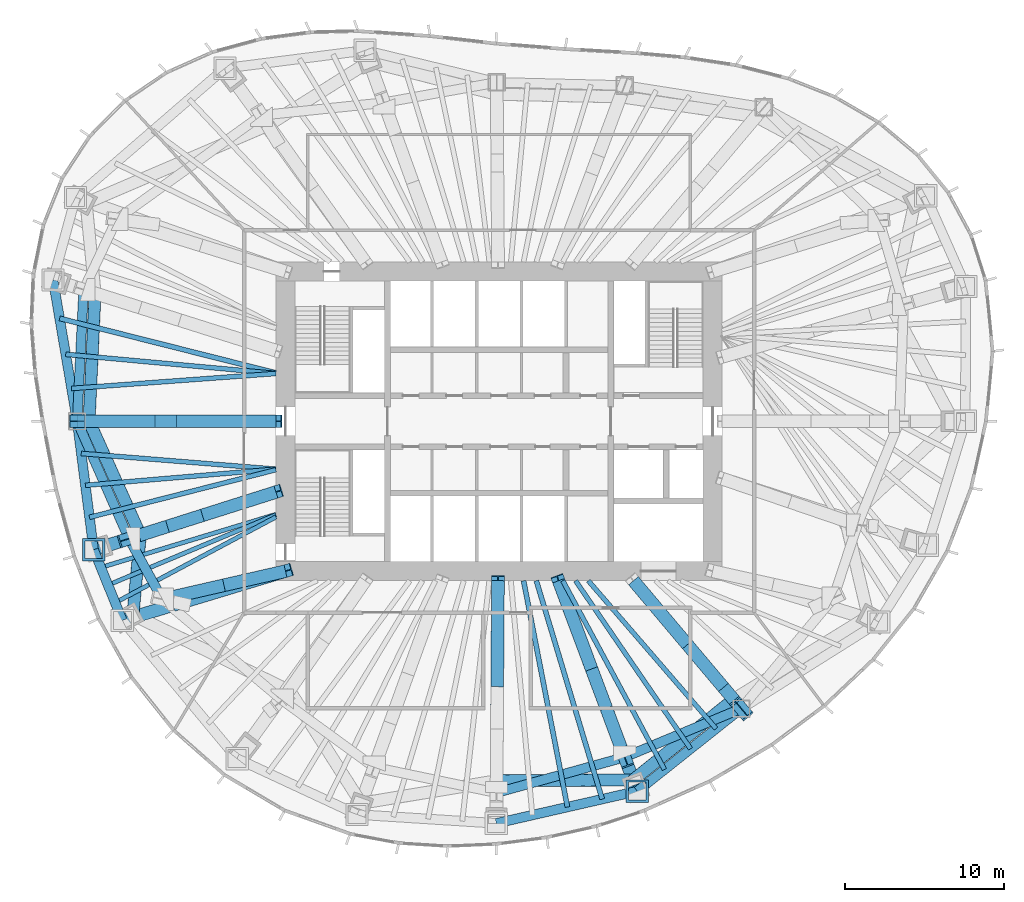
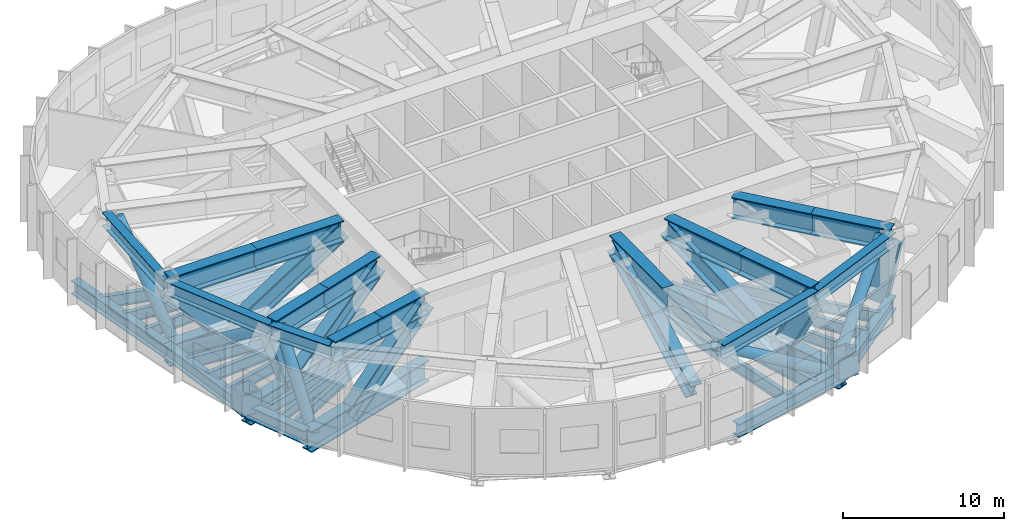
# One storey, part 2 of 12: 36 members, 19 beams.
"""IFC4 building model written with IfcOpenShell, lengths in metres."""

from ifc_helpers import new_model, si_unit, direction, frame, origin, origin_2d, place, context, subcontext, project, spatial, hollow_rectangle, hollow_circle, i_section, extrude, material, material_profile, profile_set, type_object, element, save


model = new_model("IFC4")

# Units and contexts
model_context = context("Model", 3, precision=1e-05, world=origin(), true_north=direction((0.0, 1.0)))
body_context = subcontext(model_context, "Body", "Model", "MODEL_VIEW")
ifc_project = project(units=[si_unit("LENGTHUNIT", "METRE"), si_unit("AREAUNIT", "SQUARE_METRE"), si_unit("VOLUMEUNIT", "CUBIC_METRE"), si_unit("PLANEANGLEUNIT", "RADIAN"), si_unit("MASSUNIT", "GRAM", prefix="KILO")], contexts=[model_context])

# Site, building, storey
site_placement = place(None, origin())
site = spatial("IfcSite", under=ifc_project, at=site_placement, CompositionType="ELEMENT")
building_placement = place(site_placement, origin())
building = spatial("IfcBuilding", under=site, at=building_placement, Name="Ghaith Harvest Tower", CompositionType="ELEMENT")
storey_placement = place(building_placement, frame((0.0, 0.0, 189.800048828125)))
storey = spatial("IfcBuildingStorey", under=building, at=storey_placement, Name="L41", CompositionType="ELEMENT", Elevation=189.800048828125)

# Members
ifc_material_1 = material(Name="Steel S460", Category="steel")
ifc_material_profile_1 = material_profile(ifc_material_1, i_section(OverallWidth=0.60009765625, OverallDepth=1.0, WebThickness=0.02490234375, FlangeThickness=0.050048828125, at=origin_2d()), Name="PG1000X600X25X50")
ifc_profile_set_1 = profile_set([ifc_material_profile_1], Name="Steel S460")
member_type_1 = type_object("IfcMemberType", Name="BCPG1000-600-25-50 PG1000X600X25X50", PredefinedType="CHORD", material=ifc_profile_set_1)
member_1_placement = place(storey_placement, frame((-26.06689453125, 8.260986328125, 4.030029296875), z_axis=(-0.049353148492, -0.998781390863, 0.0), x_axis=(0.998781390863, -0.049353148492, 0.0)))
element("IfcMember", 1, at=member_1_placement, inside=storey, type_object=member_type_1, Name="Belt truss BT10 top chord", PredefinedType="CHORD", context=body_context, shape_type="SweptSolid", body=[
    extrude(i_section(OverallWidth=0.60009765625, OverallDepth=1.0, WebThickness=0.02490234375, FlangeThickness=0.050048828125, at=origin_2d()), origin(), (0.0, 0.0, 1.0), 8.27099609375),
])
member_2_placement = place(storey_placement, frame((-26.47509765625, 0.0, 4.030029296875), z_axis=(0.404042817399, -0.914740073304, 0.0), x_axis=(0.914740073304, 0.404042817399, 0.0)))
element("IfcMember", 2, at=member_2_placement, inside=storey, type_object=member_type_1, Name="Belt truss BT11 top chord", PredefinedType="CHORD", context=body_context, shape_type="SweptSolid", body=[
    extrude(i_section(OverallWidth=0.60009765625, OverallDepth=1.0, WebThickness=0.02490234375, FlangeThickness=0.050048828125, at=origin_2d()), origin(), (0.0, 0.0, 1.0), 8.046142578125),
])
member_3_placement = place(storey_placement, frame((-23.22412109375, -7.360107421875, 4.030029296875), z_axis=(0.482955575345, -0.875644855089, 0.0), x_axis=(0.875644855089, 0.482955575345, 0.0)))
element("IfcMember", 3, at=member_3_placement, inside=storey, type_object=member_type_1, Name="Belt truss BT12 top chord", PredefinedType="CHORD", context=body_context, shape_type="SweptSolid", body=[
    extrude(i_section(OverallWidth=0.60009765625, OverallDepth=1.0, WebThickness=0.02490234375, FlangeThickness=0.050048828125, at=origin_2d()), origin(), (0.0, 0.0, 1.0), 4.346435546875),
])
member_4_placement = place(storey_placement, frame((-0.158935546875, -23.304931640625, 4.030029296875), z_axis=(0.963504070594, 0.267693679323, 0.0), x_axis=(-0.267693679323, 0.963504070594, 0.0)))
element("IfcMember", 4, at=member_4_placement, inside=storey, type_object=member_type_1, Name="Belt truss BT16 top chord", PredefinedType="CHORD", context=body_context, shape_type="SweptSolid", body=[
    extrude(i_section(OverallWidth=0.60009765625, OverallDepth=1.0, WebThickness=0.02490234375, FlangeThickness=0.050048828125, at=origin_2d()), origin(), (0.0, 0.0, 1.0), 8.34130859375),
])
member_5_placement = place(storey_placement, frame((7.8779296875, -21.072021484375, 4.030029296875), z_axis=(0.923119729219, 0.384512633766, 0.0), x_axis=(-0.384512633766, 0.923119729219, 0.0)))
element("IfcMember", 5, at=member_5_placement, inside=storey, type_object=member_type_1, Name="Belt truss BT17 top chord", PredefinedType="CHORD", context=body_context, shape_type="SweptSolid", body=[
    extrude(i_section(OverallWidth=0.60009765625, OverallDepth=1.0, WebThickness=0.02490234375, FlangeThickness=0.050048828125, at=origin_2d()), origin(), (0.0, 0.0, 1.0), 7.9296875),
])
ifc_material_2 = material(Name="Steel ASTM A992 Grade 50", Category="steel")
ifc_material_profile_2 = material_profile(ifc_material_2, hollow_circle(Radius=0.381103515625, WallThickness=0.01904296875, at=origin_2d()), Name="HSS762X19.1")
ifc_profile_set_2 = profile_set([ifc_material_profile_2], Name="Steel ASTM A992 Grade 50")
member_type_2 = type_object("IfcMemberType", Name="BD762 HSS762X19.1", PredefinedType="BRACE", material=ifc_profile_set_2)
member_6_placement = place(storey_placement, frame((-25.35205078125, 8.034423828125, 4.030029296875), z_axis=(-0.039103933086, -0.842193281369, -0.537755854672), x_axis=(0.998923817734, -0.046381099198, 0.0)))
element("IfcMember", 6, at=member_6_placement, inside=storey, type_object=member_type_2, Name="Belt truss BT10 diagonal", PredefinedType="BRACE", context=body_context, shape_type="SweptSolid", body=[
    extrude(hollow_circle(Radius=0.381103515625, WallThickness=0.01904296875, at=origin_2d()), origin(), (0.0, 0.0, 1.0), 9.539794921875),
])
member_7_placement = place(storey_placement, frame((-25.72509765625, 0.0, -1.10009765625), z_axis=(0.343722880296, -0.76238481109, 0.548291876084), x_axis=(0.911630542756, 0.411010648906, 0.0)))
element("IfcMember", 7, at=member_7_placement, inside=storey, type_object=member_type_2, Name="Belt truss BT11 diagonal", PredefinedType="BRACE", context=body_context, shape_type="SweptSolid", body=[
    extrude(hollow_circle(Radius=0.381103515625, WallThickness=0.01904296875, at=origin_2d()), origin(), (0.0, 0.0, 1.0), 9.3564453125),
])
member_8_placement = place(storey_placement, frame((-22.509033203125, -7.13330078125, 4.030029296875), z_axis=(-0.06442389311, -0.697177974069, -0.713997503125), x_axis=(0.995757653688, -0.092014646232, 0.0)))
element("IfcMember", 8, at=member_8_placement, inside=storey, type_object=member_type_2, Name="Belt truss BT12 diagonal", PredefinedType="BRACE", context=body_context, shape_type="SweptSolid", body=[
    extrude(hollow_circle(Radius=0.381103515625, WallThickness=0.01904296875, at=origin_2d()), origin(), (0.0, 0.0, 1.0), 7.18505859375),
])
member_9_placement = place(storey_placement, frame((-0.15380859375, -22.554931640625, 4.030029296875), z_axis=(0.857876919703, 0.005452970188, -0.513826289477), x_axis=(-0.006356226525, 0.999979798988, 0.0)))
element("IfcMember", 9, at=member_9_placement, inside=storey, type_object=member_type_2, Name="Belt truss BT16 diagonal", PredefinedType="BRACE", context=body_context, shape_type="SweptSolid", body=[
    extrude(hollow_circle(Radius=0.381103515625, WallThickness=0.01904296875, at=origin_2d()), origin(), (0.0, 0.0, 1.0), 9.984130859375),
])
member_10_placement = place(storey_placement, frame((8.411376953125, -22.50048828125, -1.10009765625), z_axis=(0.658736352818, 0.527846373348, 0.53613862351), x_axis=(-0.625314114143, 0.780373153468, 0.0)))
element("IfcMember", 10, at=member_10_placement, inside=storey, type_object=member_type_2, Name="Belt truss BT17 diagonal", PredefinedType="BRACE", context=body_context, shape_type="SweptSolid", body=[
    extrude(hollow_circle(Radius=0.381103515625, WallThickness=0.01904296875, at=origin_2d()), origin(), (0.0, 0.0, 1.0), 9.568603515625),
])

# Beams
ifc_material_3 = material(Name="Steel S460", Category="steel")
ifc_material_profile_3 = material_profile(ifc_material_3, i_section(OverallWidth=0.60009765625, OverallDepth=1.0, WebThickness=0.02490234375, FlangeThickness=0.050048828125, at=origin_2d()), Name="PG1000X600X25X50")
ifc_profile_set_3 = profile_set([ifc_material_profile_3], Name="Steel S460")
beam_type_1 = type_object("IfcBeamType", Name="EPG1000 PG1000X600X25X50", PredefinedType="SPANDREL", material=ifc_profile_set_3)
beam_1_placement = place(storey_placement, frame((-27.98291015625, 8.867919921875, -0.800048828125), z_axis=(0.167624246844, -0.985850958244, 0.0), x_axis=(0.985850958244, 0.167624246844, 0.0)))
element("IfcBeam", 11, at=beam_1_placement, inside=storey, type_object=beam_type_1, Name="Edge beam E10 L41", PredefinedType="SPANDREL", context=body_context, shape_type="SweptSolid", body=[
    extrude(i_section(OverallWidth=0.60009765625, OverallDepth=1.0, WebThickness=0.02490234375, FlangeThickness=0.050048828125, at=origin_2d()), origin(), (0.0, 0.0, 1.0), 8.9951171875),
])
beam_2_placement = place(storey_placement, frame((-26.47509765625, 0.0, -0.800048828125), z_axis=(0.127841715048, -0.991794583517, 0.0), x_axis=(0.991794583517, 0.127841715048, 0.0)))
element("IfcBeam", 12, at=beam_2_placement, inside=storey, type_object=beam_type_1, Name="Edge beam E11 L41", PredefinedType="SPANDREL", context=body_context, shape_type="SweptSolid", body=[
    extrude(i_section(OverallWidth=0.60009765625, OverallDepth=1.0, WebThickness=0.02490234375, FlangeThickness=0.050048828125, at=origin_2d()), origin(), (0.0, 0.0, 1.0), 8.127685546875),
])
beam_3_placement = place(storey_placement, frame((-25.43603515625, -8.06103515625, -0.800048828125), z_axis=(0.376479712052, -0.9264248628, 0.0), x_axis=(0.9264248628, 0.376479712052, 0.0)))
element("IfcBeam", 13, at=beam_3_placement, inside=storey, type_object=beam_type_1, Name="Edge beam E12 L41", PredefinedType="SPANDREL", context=body_context, shape_type="SweptSolid", body=[
    extrude(i_section(OverallWidth=0.60009765625, OverallDepth=1.0, WebThickness=0.02490234375, FlangeThickness=0.050048828125, at=origin_2d()), origin(), (0.0, 0.0, 1.0), 4.783935546875),
])
beam_4_placement = place(storey_placement, frame((-0.173095703125, -25.22412109375, -0.800048828125), z_axis=(0.974881709383, 0.22272326486, 0.0), x_axis=(-0.22272326486, 0.974881709383, 0.0)))
element("IfcBeam", 14, at=beam_4_placement, inside=storey, type_object=beam_type_1, Name="Edge beam E16 L41", PredefinedType="SPANDREL", context=body_context, shape_type="SweptSolid", body=[
    extrude(i_section(OverallWidth=0.60009765625, OverallDepth=1.0, WebThickness=0.02490234375, FlangeThickness=0.050048828125, at=origin_2d()), origin(), (0.0, 0.0, 1.0), 9.0751953125),
])
beam_5_placement = place(storey_placement, frame((8.674072265625, -23.202880859375, -0.800048828125), z_axis=(0.783159540917, 0.621820821033, 0.0), x_axis=(-0.621820821033, 0.783159540917, 0.0)))
element("IfcBeam", 15, at=beam_5_placement, inside=storey, type_object=beam_type_1, Name="Edge beam E17 L41", PredefinedType="SPANDREL", context=body_context, shape_type="SweptSolid", body=[
    extrude(i_section(OverallWidth=0.60009765625, OverallDepth=1.0, WebThickness=0.02490234375, FlangeThickness=0.050048828125, at=origin_2d()), origin(), (0.0, 0.0, 1.0), 8.330322265625),
])
ifc_material_4 = material(Name="Steel ASTM A992 Grade 50", Category="steel")
ifc_material_profile_4 = material_profile(ifc_material_4, i_section(OverallWidth=0.26806640625, OverallDepth=0.77001953125, WebThickness=0.015625, FlangeThickness=0.025390625, at=origin_2d()), Name="W760X196")
ifc_profile_set_4 = profile_set([ifc_material_profile_4], Name="Steel ASTM A992 Grade 50")
beam_type_2 = type_object("IfcBeamType", Name="J760-196 W760X196", PredefinedType="JOIST", material=ifc_profile_set_4)
beam_6_placement = place(storey_placement, frame((-14.0, -5.8369140625, -0.68505859375), z_axis=(-0.95693260078, -0.290310174751, 0.0), x_axis=(0.290310174751, -0.95693260078, 0.0)))
element("IfcBeam", 16, at=beam_6_placement, inside=storey, type_object=beam_type_2, Name="Joist J12.1 L41", PredefinedType="JOIST", context=body_context, shape_type="SweptSolid", body=[
    extrude(i_section(OverallWidth=0.26806640625, OverallDepth=0.77001953125, WebThickness=0.015625, FlangeThickness=0.025390625, at=origin_2d()), origin(), (0.0, 0.0, 1.0), 11.47998046875),
])
beam_7_placement = place(storey_placement, frame((-14.0, -5.862548828125, -0.68505859375), z_axis=(-0.922385564947, -0.386270461693, 0.0), x_axis=(0.386270461693, -0.922385564947, 0.0)))
element("IfcBeam", 17, at=beam_7_placement, inside=storey, type_object=beam_type_2, Name="Joist J12.2 L41", PredefinedType="JOIST", context=body_context, shape_type="SweptSolid", body=[
    extrude(i_section(OverallWidth=0.26806640625, OverallDepth=0.77001953125, WebThickness=0.015625, FlangeThickness=0.025390625, at=origin_2d()), origin(), (0.0, 0.0, 1.0), 11.4228515625),
])
beam_8_placement = place(storey_placement, frame((-14.0, -6.0, -0.68505859375), z_axis=(-0.882301506662, -0.470684662318, 0.0), x_axis=(0.470684662318, -0.882301506662, 0.0)))
element("IfcBeam", 18, at=beam_8_placement, inside=storey, type_object=beam_type_2, Name="Joist J12.3 L41", PredefinedType="JOIST", context=body_context, shape_type="SweptSolid", body=[
    extrude(i_section(OverallWidth=0.26806640625, OverallDepth=0.77001953125, WebThickness=0.015625, FlangeThickness=0.025390625, at=origin_2d()), origin(), (0.0, 0.0, 1.0), 11.4326171875),
])
ifc_material_5 = material(Name="Steel ASTM A992 Grade 50", Category="steel")
ifc_material_profile_5 = material_profile(ifc_material_5, i_section(OverallWidth=0.2939453125, OverallDepth=0.85107421875, WebThickness=0.01611328125, FlangeThickness=0.02685546875, at=origin_2d()), Name="W840X226")
ifc_profile_set_5 = profile_set([ifc_material_profile_5], Name="Steel ASTM A992 Grade 50")
beam_type_3 = type_object("IfcBeamType", Name="J840-226 W840X226", PredefinedType="JOIST", material=ifc_profile_set_5)
beam_9_placement = place(storey_placement, frame((-14.0, 3.0, -0.7255859375), z_axis=(-0.995849123151, 0.091019360137, 0.0), x_axis=(-0.091019360137, -0.995849123151, 0.0)))
element("IfcBeam", 19, at=beam_9_placement, inside=storey, type_object=beam_type_3, Name="Joist J10.2 L41", PredefinedType="JOIST", context=body_context, shape_type="SweptSolid", body=[
    extrude(i_section(OverallWidth=0.2939453125, OverallDepth=0.85107421875, WebThickness=0.01611328125, FlangeThickness=0.02685546875, at=origin_2d()), origin(), (0.0, 0.0, 1.0), 13.2451171875),
])
beam_10_placement = place(storey_placement, frame((-14.0, 3.0, -0.7255859375), z_axis=(-0.997337799795, -0.072919908802, 0.0), x_axis=(0.072919908802, -0.997337799795, 0.0)))
element("IfcBeam", 20, at=beam_10_placement, inside=storey, type_object=beam_type_3, Name="Joist J10.3 L41", PredefinedType="JOIST", context=body_context, shape_type="SweptSolid", body=[
    extrude(i_section(OverallWidth=0.2939453125, OverallDepth=0.85107421875, WebThickness=0.01611328125, FlangeThickness=0.02685546875, at=origin_2d()), origin(), (0.0, 0.0, 1.0), 12.85986328125),
])
beam_11_placement = place(storey_placement, frame((-14.0, -3.0, -0.7255859375), z_axis=(-0.996767018052, 0.080346199185, 0.0), x_axis=(-0.080346199185, -0.996767018052, 0.0)))
element("IfcBeam", 21, at=beam_11_placement, inside=storey, type_object=beam_type_3, Name="Joist J11.1 L41", PredefinedType="JOIST", context=body_context, shape_type="SweptSolid", body=[
    extrude(i_section(OverallWidth=0.2939453125, OverallDepth=0.85107421875, WebThickness=0.01611328125, FlangeThickness=0.02685546875, at=origin_2d()), origin(), (0.0, 0.0, 1.0), 12.254638671875),
])
beam_12_placement = place(storey_placement, frame((-14.0, -3.0, -0.7255859375), z_axis=(-0.996417474722, -0.0845707755, 0.0), x_axis=(0.0845707755, -0.996417474722, 0.0)))
element("IfcBeam", 22, at=beam_12_placement, inside=storey, type_object=beam_type_3, Name="Joist J11.2 L41", PredefinedType="JOIST", context=body_context, shape_type="SweptSolid", body=[
    extrude(i_section(OverallWidth=0.2939453125, OverallDepth=0.85107421875, WebThickness=0.01611328125, FlangeThickness=0.02685546875, at=origin_2d()), origin(), (0.0, 0.0, 1.0), 12.00048828125),
])
beam_13_placement = place(storey_placement, frame((-14.0, -3.036865234375, -0.7255859375), z_axis=(-0.96895348483, -0.247243087337, 0.0), x_axis=(0.247243087337, -0.96895348483, 0.0)))
element("IfcBeam", 23, at=beam_13_placement, inside=storey, type_object=beam_type_3, Name="Joist J11.3 L41", PredefinedType="JOIST", context=body_context, shape_type="SweptSolid", body=[
    extrude(i_section(OverallWidth=0.2939453125, OverallDepth=0.85107421875, WebThickness=0.01611328125, FlangeThickness=0.02685546875, at=origin_2d()), origin(), (0.0, 0.0, 1.0), 12.073486328125),
])
beam_14_placement = place(storey_placement, frame((4.0, -10.0, -0.7255859375), z_axis=(0.473990552547, -0.880529929131, 0.0), x_axis=(0.880529929131, 0.473990552547, 0.0)))
element("IfcBeam", 24, at=beam_14_placement, inside=storey, type_object=beam_type_3, Name="Joist J17.1 L41", PredefinedType="JOIST", context=body_context, shape_type="SweptSolid", body=[
    extrude(i_section(OverallWidth=0.2939453125, OverallDepth=0.85107421875, WebThickness=0.01611328125, FlangeThickness=0.02685546875, at=origin_2d()), origin(), (0.0, 0.0, 1.0), 13.457275390625),
])
beam_15_placement = place(storey_placement, frame((4.800048828125, -10.0, -0.7255859375), z_axis=(0.564640089487, -0.825337245824, 0.0), x_axis=(0.825337245824, 0.564640089487, 0.0)))
element("IfcBeam", 25, at=beam_15_placement, inside=storey, type_object=beam_type_3, Name="Joist J17.2 L41", PredefinedType="JOIST", context=body_context, shape_type="SweptSolid", body=[
    extrude(i_section(OverallWidth=0.2939453125, OverallDepth=0.85107421875, WebThickness=0.01611328125, FlangeThickness=0.02685546875, at=origin_2d()), origin(), (0.0, 0.0, 1.0), 12.78125),
])
beam_16_placement = place(storey_placement, frame((5.60009765625, -10.0, -0.7255859375), z_axis=(0.653656155878, -0.756791668746, 0.0), x_axis=(0.756791668746, 0.653656155878, 0.0)))
element("IfcBeam", 26, at=beam_16_placement, inside=storey, type_object=beam_type_3, Name="Joist J17.3 L41", PredefinedType="JOIST", context=body_context, shape_type="SweptSolid", body=[
    extrude(i_section(OverallWidth=0.2939453125, OverallDepth=0.85107421875, WebThickness=0.01611328125, FlangeThickness=0.02685546875, at=origin_2d()), origin(), (0.0, 0.0, 1.0), 12.261962890625),
])
ifc_material_6 = material(Name="Steel ASTM A992 Grade 50", Category="steel")
ifc_material_profile_6 = material_profile(ifc_material_6, i_section(OverallWidth=0.31005859375, OverallDepth=0.927001953125, WebThickness=0.019287109375, FlangeThickness=0.031982421875, at=origin_2d()), Name="W920X289")
ifc_profile_set_6 = profile_set([ifc_material_profile_6], Name="Steel ASTM A992 Grade 50")
beam_type_4 = type_object("IfcBeamType", Name="J920-289 W920X289", PredefinedType="JOIST", material=ifc_profile_set_6)
beam_17_placement = place(storey_placement, frame((-14.0, 3.036865234375, -0.763427734375), z_axis=(-0.969617049409, 0.244627834671, 0.0), x_axis=(-0.244627834671, -0.969617049409, 0.0)))
element("IfcBeam", 27, at=beam_17_placement, inside=storey, type_object=beam_type_4, Name="Joist J10.1 L41", PredefinedType="JOIST", context=body_context, shape_type="SweptSolid", body=[
    extrude(i_section(OverallWidth=0.31005859375, OverallDepth=0.927001953125, WebThickness=0.019287109375, FlangeThickness=0.031982421875, at=origin_2d()), origin(), (0.0, 0.0, 1.0), 13.9990234375),
])
beam_18_placement = place(storey_placement, frame((1.538330078125, -10.0, -0.763427734375), z_axis=(0.190235964894, -0.981738395735, 0.0), x_axis=(0.981738395735, 0.190235964894, 0.0)))
element("IfcBeam", 28, at=beam_18_placement, inside=storey, type_object=beam_type_4, Name="Joist J16.2 L41", PredefinedType="JOIST", context=body_context, shape_type="SweptSolid", body=[
    extrude(i_section(OverallWidth=0.31005859375, OverallDepth=0.927001953125, WebThickness=0.019287109375, FlangeThickness=0.031982421875, at=origin_2d()), origin(), (0.0, 0.0, 1.0), 14.468505859375),
])
beam_19_placement = place(storey_placement, frame((2.33837890625, -10.0, -0.763427734375), z_axis=(0.288890171312, -0.957362245401, 0.0), x_axis=(0.957362245401, 0.288890171312, 0.0)))
element("IfcBeam", 29, at=beam_19_placement, inside=storey, type_object=beam_type_4, Name="Joist J16.3 L41", PredefinedType="JOIST", context=body_context, shape_type="SweptSolid", body=[
    extrude(i_section(OverallWidth=0.31005859375, OverallDepth=0.927001953125, WebThickness=0.019287109375, FlangeThickness=0.031982421875, at=origin_2d()), origin(), (0.0, 0.0, 1.0), 14.31591796875),
])

# Members
ifc_material_7 = material(Name="Steel S690QL", Category="steel")
ifc_material_profile_7 = material_profile(ifc_material_7, hollow_rectangle(XDim=1.39990234375, YDim=1.39990234375, WallThickness=0.139892578125, at=origin_2d()), Name="BOX1400X1400X140")
ifc_profile_set_7 = profile_set([ifc_material_profile_7], Name="Steel S690QL")
member_type_3 = type_object("IfcMemberType", Name="KN2 BOX1400X1400X140", PredefinedType="USERDEFINED", material=ifc_profile_set_7)
for number, where, z_axis, x_axis, name in (
    (30, (-25.43603515625, -8.06103515625, -0.775146484375), (0.0, 0.0, 1.0), (1.0, 0.0, 0.0), "Raked column kink node C12 base L41"),
    (31, (8.674072265625, -23.202880859375, -0.775146484375), (0.0, 0.0, 1.0), (1.0, 0.0, 0.0), "Raked column kink node C17 base L41"),
):
    element("IfcMember", number, at=place(storey_placement, frame(where, z_axis=z_axis, x_axis=x_axis)), inside=storey, type_object=member_type_3, Name=name, ObjectType="KINK NODE", PredefinedType="USERDEFINED", context=body_context, shape_type="SweptSolid", body=[
        extrude(hollow_rectangle(XDim=1.39990234375, YDim=1.39990234375, WallThickness=0.139892578125, at=origin_2d()), origin(), (0.0, 0.0, 1.0), 1.550048828125),
    ])
ifc_material_8 = material(Name="Steel S460", Category="steel")
ifc_material_profile_8 = material_profile(ifc_material_8, i_section(OverallWidth=0.800048828125, OverallDepth=1.60009765625, WebThickness=0.0400390625, FlangeThickness=0.080078125, at=origin_2d()), Name="PG1600X800X40X80")
ifc_profile_set_8 = profile_set([ifc_material_profile_8], Name="Steel S460")
member_type_4 = type_object("IfcMemberType", Name="OC1600 PG1600X800X40X80", PredefinedType="CHORD", material=ifc_profile_set_8)
member_11_placement = place(storey_placement, frame((-14.0, 0.0, -1.10009765625), z_axis=(-1.0, 0.0, 0.0), x_axis=(0.0, -1.0, 0.0)))
element("IfcMember", 32, at=member_11_placement, inside=storey, type_object=member_type_4, Name="Outrigger truss OT11 bottom chord", PredefinedType="CHORD", context=body_context, shape_type="SweptSolid", body=[
    extrude(i_section(OverallWidth=0.800048828125, OverallDepth=1.60009765625, WebThickness=0.0400390625, FlangeThickness=0.080078125, at=origin_2d()), origin(), (0.0, 0.0, 1.0), 12.47509765625),
])
for number, where, z_axis, x_axis, name in (
    (33, (-14.0, 0.0, 4.030029296875), (-1.0, 0.0, 0.0), (0.0, -1.0, 0.0), "Outrigger truss OT11 top chord 1"),
    (34, (-20.237548828125, 0.0, 4.030029296875), (-1.0, 0.0, 0.0), (0.0, -1.0, 0.0), "Outrigger truss OT11 top chord 2"),
):
    element("IfcMember", number, at=place(storey_placement, frame(where, z_axis=z_axis, x_axis=x_axis)), inside=storey, type_object=member_type_4, Name=name, PredefinedType="CHORD", context=body_context, shape_type="SweptSolid", body=[
        extrude(i_section(OverallWidth=0.800048828125, OverallDepth=1.60009765625, WebThickness=0.0400390625, FlangeThickness=0.080078125, at=origin_2d()), origin(), (0.0, 0.0, 1.0), 6.237548828125),
    ])
member_12_placement = place(storey_placement, frame((-14.0, -4.43701171875, -1.10009765625), z_axis=(-0.953279533519, -0.302089607522, 0.0), x_axis=(0.302089607522, -0.953279533519, 0.0)))
element("IfcMember", 35, at=member_12_placement, inside=storey, type_object=member_type_4, Name="Outrigger truss OT12 bottom chord", PredefinedType="CHORD", context=body_context, shape_type="SweptSolid", body=[
    extrude(i_section(OverallWidth=0.800048828125, OverallDepth=1.60009765625, WebThickness=0.0400390625, FlangeThickness=0.080078125, at=origin_2d()), origin(), (0.0, 0.0, 1.0), 11.99658203125),
])
for number, where, z_axis, x_axis, name in (
    (36, (-14.0, -4.43701171875, 4.030029296875), (-0.953286293894, -0.30206827353, 0.0), (0.30206827353, -0.953286293894, 0.0), "Outrigger truss OT12 top chord 1"),
    (37, (-18.612060546875, -5.8984375, 4.030029296875), (-0.953271761967, -0.30211413048, 0.0), (0.30211413048, -0.953271761967, 0.0), "Outrigger truss OT12 top chord 2"),
):
    element("IfcMember", number, at=place(storey_placement, frame(where, z_axis=z_axis, x_axis=x_axis)), inside=storey, type_object=member_type_4, Name=name, PredefinedType="CHORD", context=body_context, shape_type="SweptSolid", body=[
        extrude(i_section(OverallWidth=0.800048828125, OverallDepth=1.60009765625, WebThickness=0.0400390625, FlangeThickness=0.080078125, at=origin_2d()), origin(), (0.0, 0.0, 1.0), 4.838134765625),
    ])
member_13_placement = place(storey_placement, frame((-13.39990234375, -9.39990234375, -1.10009765625), z_axis=(-0.957245546312, -0.289276622051, 0.0), x_axis=(0.289276622051, -0.957245546312, 0.0)))
element("IfcMember", 38, at=member_13_placement, inside=storey, type_object=member_type_4, Name="Outrigger truss OT13 bottom chord", PredefinedType="CHORD", context=body_context, shape_type="SweptSolid", body=[
    extrude(i_section(OverallWidth=0.800048828125, OverallDepth=1.60009765625, WebThickness=0.0400390625, FlangeThickness=0.080078125, at=origin_2d()), origin(), (0.0, 0.0, 1.0), 10.692138671875),
])
for number, where, z_axis, x_axis, name in (
    (39, (-13.39990234375, -9.39990234375, 4.030029296875), (-0.974848180196, -0.222869974576, 0.0), (0.222869974576, -0.974848180196, 0.0), "Outrigger truss OT13 top chord 1"),
    (40, (-17.262451171875, -10.282958984375, 4.030029296875), (-0.974848180196, -0.222869974576, 0.0), (0.222869974576, -0.974848180196, 0.0), "Outrigger truss OT13 top chord 2"),
):
    element("IfcMember", number, at=place(storey_placement, frame(where, z_axis=z_axis, x_axis=x_axis)), inside=storey, type_object=member_type_4, Name=name, PredefinedType="CHORD", context=body_context, shape_type="SweptSolid", body=[
        extrude(i_section(OverallWidth=0.800048828125, OverallDepth=1.60009765625, WebThickness=0.0400390625, FlangeThickness=0.080078125, at=origin_2d()), origin(), (0.0, 0.0, 1.0), 3.962158203125),
    ])
member_14_placement = place(storey_placement, frame((-0.068359375, -10.0, 4.030029296875), z_axis=(-0.00682577955, -0.999976704095, 0.0), x_axis=(0.999976704095, -0.00682577955, 0.0)))
element("IfcMember", 41, at=member_14_placement, inside=storey, type_object=member_type_4, Name="Outrigger truss OT16 top chord 1", PredefinedType="CHORD", context=body_context, shape_type="SweptSolid", body=[
    extrude(i_section(OverallWidth=0.800048828125, OverallDepth=1.60009765625, WebThickness=0.0400390625, FlangeThickness=0.080078125, at=origin_2d()), origin(), (0.0, 0.0, 1.0), 6.65283203125),
])
member_15_placement = place(storey_placement, frame((3.73828125, -10.0, -1.10009765625), z_axis=(0.350172283717, -0.936685310932, 0.0), x_axis=(0.936685310932, 0.350172283717, 0.0)))
element("IfcMember", 42, at=member_15_placement, inside=storey, type_object=member_type_4, Name="Outrigger truss OT17 bottom chord", PredefinedType="CHORD", context=body_context, shape_type="SweptSolid", body=[
    extrude(i_section(OverallWidth=0.800048828125, OverallDepth=1.60009765625, WebThickness=0.0400390625, FlangeThickness=0.080078125, at=origin_2d()), origin(), (0.0, 0.0, 1.0), 14.09521484375),
])
member_16_placement = place(storey_placement, frame((3.73828125, -10.0, 4.030029296875), z_axis=(0.350213357326, -0.936669954867, 0.0), x_axis=(0.936669954867, 0.350213357326, 0.0)))
element("IfcMember", 43, at=member_16_placement, inside=storey, type_object=member_type_4, Name="Outrigger truss OT17 top chord 1", PredefinedType="CHORD", context=body_context, shape_type="SweptSolid", body=[
    extrude(i_section(OverallWidth=0.800048828125, OverallDepth=1.60009765625, WebThickness=0.0400390625, FlangeThickness=0.080078125, at=origin_2d()), origin(), (0.0, 0.0, 1.0), 5.91015625),
])
member_17_placement = place(storey_placement, frame((5.80810546875, -15.535888671875, 4.030029296875), z_axis=(0.350199807211, -0.936675021034, 0.0), x_axis=(0.936675021034, 0.350199807211, 0.0)))
element("IfcMember", 44, at=member_17_placement, inside=storey, type_object=member_type_4, Name="Outrigger truss OT17 top chord 2", PredefinedType="CHORD", context=body_context, shape_type="SweptSolid", body=[
    extrude(i_section(OverallWidth=0.800048828125, OverallDepth=1.60009765625, WebThickness=0.0400390625, FlangeThickness=0.080078125, at=origin_2d()), origin(), (0.0, 0.0, 1.0), 5.910400390625),
])
for number, where, z_axis, x_axis, name in (
    (45, (8.4326171875, -10.0, 4.030029296875), (0.644662835997, -0.764467022104, 0.0), (0.764467022104, 0.644662835997, 0.0), "Outrigger truss OT18 top chord 1"),
    (46, (11.8154296875, -14.011474609375, 4.030029296875), (0.644635644582, -0.764489951363, 0.0), (0.764489951363, 0.644635644582, 0.0), "Outrigger truss OT18 top chord 2"),
):
    element("IfcMember", number, at=place(storey_placement, frame(where, z_axis=z_axis, x_axis=x_axis)), inside=storey, type_object=member_type_4, Name=name, PredefinedType="CHORD", context=body_context, shape_type="SweptSolid", body=[
        extrude(i_section(OverallWidth=0.800048828125, OverallDepth=1.60009765625, WebThickness=0.0400390625, FlangeThickness=0.080078125, at=origin_2d()), origin(), (0.0, 0.0, 1.0), 5.247314453125),
    ])
ifc_material_9 = material(Name="Steel S460", Category="steel")
ifc_material_profile_9 = material_profile(ifc_material_9, i_section(OverallWidth=0.800048828125, OverallDepth=1.39990234375, WebThickness=0.050048828125, FlangeThickness=0.10009765625, at=origin_2d()), Name="PG1400X800X50X100")
ifc_profile_set_9 = profile_set([ifc_material_profile_9], Name="Steel S460")
member_type_5 = type_object("IfcMemberType", Name="OD1400 PG1400X800X50X100", PredefinedType="BRACE", material=ifc_profile_set_9)
member_18_placement = place(storey_placement, frame((-14.0, 0.0, 4.030029296875), z_axis=(-0.845078132233, 0.0, -0.534642825092), x_axis=(0.0, -1.0, 0.0)))
element("IfcMember", 47, at=member_18_placement, inside=storey, type_object=member_type_5, Name="Outrigger truss OT11 diagonal 1", PredefinedType="BRACE", context=body_context, shape_type="SweptSolid", body=[
    extrude(i_section(OverallWidth=0.800048828125, OverallDepth=1.39990234375, WebThickness=0.050048828125, FlangeThickness=0.10009765625, at=origin_2d()), origin(), (0.0, 0.0, 1.0), 9.595458984375),
])
member_19_placement = place(storey_placement, frame((-22.10888671875, 0.0, -1.10009765625), z_axis=(-0.64813115056, 0.0, 0.761528733321), x_axis=(0.0, -1.0, 0.0)))
element("IfcMember", 48, at=member_19_placement, inside=storey, type_object=member_type_5, Name="Outrigger truss OT11 diagonal 2", PredefinedType="BRACE", context=body_context, shape_type="SweptSolid", body=[
    extrude(i_section(OverallWidth=0.800048828125, OverallDepth=1.39990234375, WebThickness=0.050048828125, FlangeThickness=0.10009765625, at=origin_2d()), origin(), (0.0, 0.0, 1.0), 6.736572265625),
])
member_20_placement = place(storey_placement, frame((-14.0, -4.43701171875, 4.030029296875), z_axis=(-0.796384555971, -0.252357151641, -0.549624878465), x_axis=(0.302075240993, -0.953284086083, 0.0)))
element("IfcMember", 49, at=member_20_placement, inside=storey, type_object=member_type_5, Name="Outrigger truss OT12 diagonal 1", PredefinedType="BRACE", context=body_context, shape_type="SweptSolid", body=[
    extrude(i_section(OverallWidth=0.800048828125, OverallDepth=1.39990234375, WebThickness=0.050048828125, FlangeThickness=0.10009765625, at=origin_2d()), origin(), (0.0, 0.0, 1.0), 9.333984375),
])
member_21_placement = place(storey_placement, frame((-21.433349609375, -6.79248046875, -1.10009765625), z_axis=(-0.327784109962, -0.103898848761, 0.939022154415), x_axis=(0.302157453525, -0.953258030797, 0.0)))
element("IfcMember", 50, at=member_21_placement, inside=storey, type_object=member_type_5, Name="Outrigger truss OT12 diagonal 2", PredefinedType="BRACE", context=body_context, shape_type="SweptSolid", body=[
    extrude(i_section(OverallWidth=0.800048828125, OverallDepth=1.39990234375, WebThickness=0.050048828125, FlangeThickness=0.10009765625, at=origin_2d()), origin(), (0.0, 0.0, 1.0), 5.46337890625),
])
member_22_placement = place(storey_placement, frame((-13.39990234375, -9.39990234375, 4.030029296875), z_axis=(-0.770153941549, -0.232741934263, -0.593880542157), x_axis=(0.289280963982, -0.957244234184, 0.0)))
element("IfcMember", 51, at=member_22_placement, inside=storey, type_object=member_type_5, Name="Outrigger truss OT13 diagonal 1", PredefinedType="BRACE", context=body_context, shape_type="SweptSolid", body=[
    extrude(i_section(OverallWidth=0.800048828125, OverallDepth=1.39990234375, WebThickness=0.050048828125, FlangeThickness=0.10009765625, at=origin_2d()), origin(), (0.0, 0.0, 1.0), 8.638427734375),
])
member_23_placement = place(storey_placement, frame((-0.068359375, -10.0, 4.030029296875), z_axis=(-0.006110921259, -0.887770109149, -0.460246553428), x_axis=(0.999976309899, -0.006883287044, 0.0)))
element("IfcMember", 52, at=member_23_placement, inside=storey, type_object=member_type_5, Name="Outrigger truss OT16 diagonal 1", PredefinedType="BRACE", context=body_context, shape_type="SweptSolid", body=[
    extrude(i_section(OverallWidth=0.800048828125, OverallDepth=1.39990234375, WebThickness=0.050048828125, FlangeThickness=0.10009765625, at=origin_2d()), origin(), (0.0, 0.0, 1.0), 11.146484375),
])
member_24_placement = place(storey_placement, frame((3.73828125, -10.0, 4.030029296875), z_axis=(0.305536507844, -0.817282838994, -0.488565454632), x_axis=(0.936684604316, 0.350174173859, 0.0)))
element("IfcMember", 53, at=member_24_placement, inside=storey, type_object=member_type_5, Name="Outrigger truss OT17 diagonal 1", PredefinedType="BRACE", context=body_context, shape_type="SweptSolid", body=[
    extrude(i_section(OverallWidth=0.800048828125, OverallDepth=1.39990234375, WebThickness=0.050048828125, FlangeThickness=0.10009765625, at=origin_2d()), origin(), (0.0, 0.0, 1.0), 10.50048828125),
])
member_25_placement = place(storey_placement, frame((6.946533203125, -18.581787109375, -1.10009765625), z_axis=(0.161192969529, -0.430974649855, 0.887850031118), x_axis=(0.936630726957, 0.35031825719, 0.0)))
element("IfcMember", 54, at=member_25_placement, inside=storey, type_object=member_type_5, Name="Outrigger truss OT17 diagonal 2", PredefinedType="BRACE", context=body_context, shape_type="SweptSolid", body=[
    extrude(i_section(OverallWidth=0.800048828125, OverallDepth=1.39990234375, WebThickness=0.050048828125, FlangeThickness=0.10009765625, at=origin_2d()), origin(), (0.0, 0.0, 1.0), 5.778076171875),
])
member_26_placement = place(storey_placement, frame((14.521484375, -17.220703125, -1.10009765625), z_axis=(0.12919539475, -0.153206808787, 0.979712316814), x_axis=(0.764470615676, 0.644658574571, 0.0)))
element("IfcMember", 55, at=member_26_placement, inside=storey, type_object=member_type_5, Name="Outrigger truss OT18 diagonal 2", PredefinedType="BRACE", context=body_context, shape_type="SweptSolid", body=[
    extrude(i_section(OverallWidth=0.800048828125, OverallDepth=1.39990234375, WebThickness=0.050048828125, FlangeThickness=0.10009765625, at=origin_2d()), origin(), (0.0, 0.0, 1.0), 5.236328125),
])

save(model, "model.ifc")
